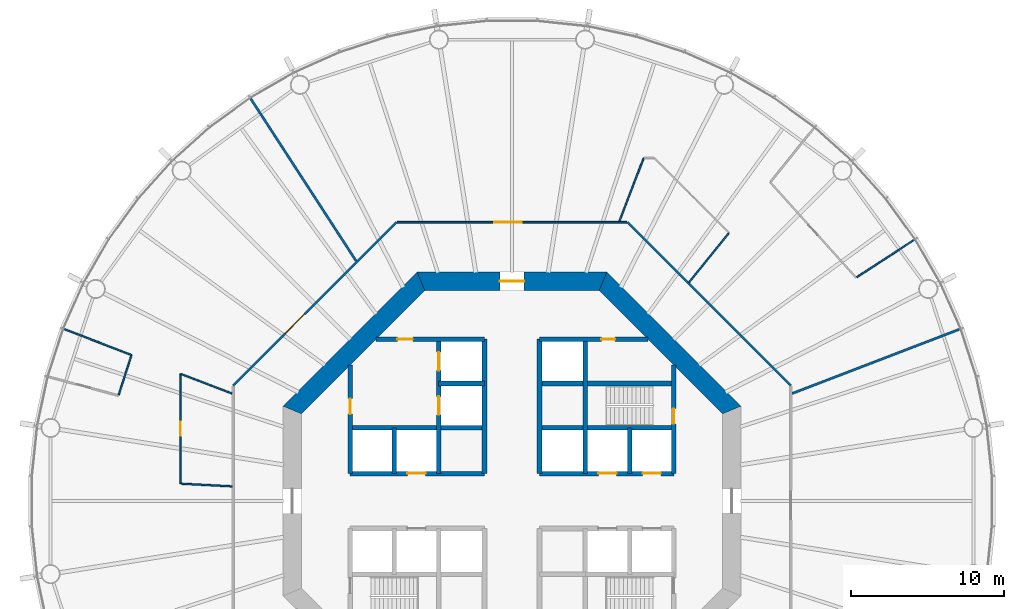
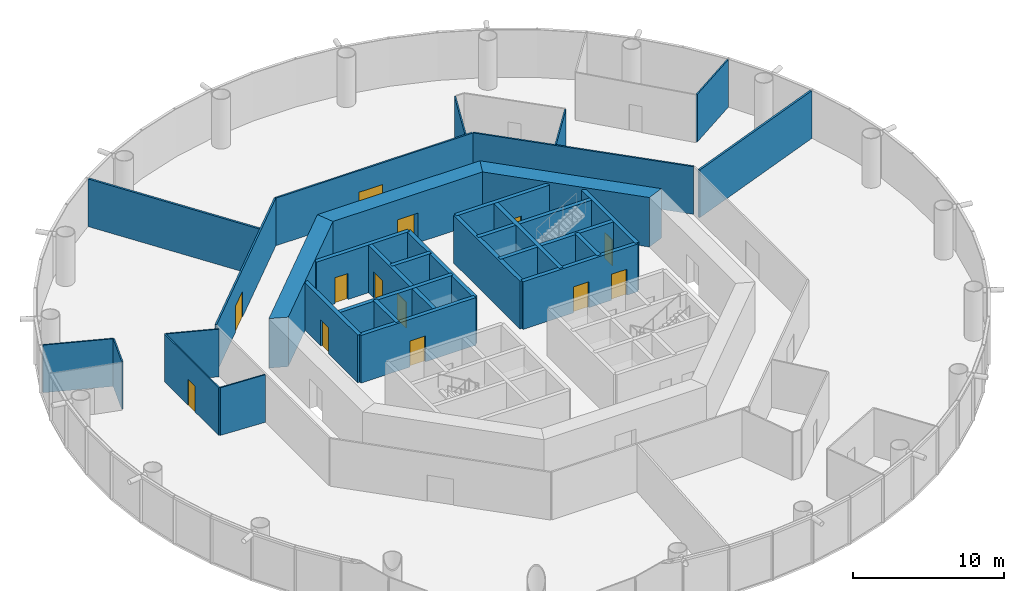
# One storey, part 4 of 12: 32 walls, 13 doors, 13 openings.
"""IFC4 building model written with IfcOpenShell, lengths in metres."""

from ifc_helpers import new_model, si_unit, direction, frame, frame_2d, origin, place, context, subcontext, project, spatial, polyline, rectangle, outline, extrude, material, layer, layer_set, type_object, element, fill, save


model = new_model("IFC4")

# Units and contexts
model_context = context("Model", 3, precision=1e-05, world=origin(), true_north=direction((0.0, 1.0)))
body_context = subcontext(model_context, "Body", "Model", "MODEL_VIEW")
ifc_project = project(units=[si_unit("LENGTHUNIT", "METRE"), si_unit("AREAUNIT", "SQUARE_METRE"), si_unit("VOLUMEUNIT", "CUBIC_METRE"), si_unit("PLANEANGLEUNIT", "RADIAN"), si_unit("MASSUNIT", "GRAM", prefix="KILO")], contexts=[model_context])

# Site, building, storey
site_placement = place(None, origin())
site = spatial("IfcSite", under=ifc_project, at=site_placement, CompositionType="ELEMENT")
building_placement = place(site_placement, origin())
building = spatial("IfcBuilding", under=site, at=building_placement, Name="Entoto Ring Tower", CompositionType="ELEMENT")
storey_placement = place(building_placement, frame((0.0, 0.0, 128.0)))
storey = spatial("IfcBuildingStorey", under=building, at=storey_placement, Name="L29", CompositionType="ELEMENT", Elevation=128.0)

# Wall, opening, door
ifc_material_1 = material(Name="Concrete C40/50", Category="concrete")
ifc_layer_1 = layer(ifc_material_1, 0.300048828125)
ifc_layer_set_1 = layer_set([ifc_layer_1], Name="Concrete C40/50")
wall_type_1 = type_object("IfcWallType", Name="Core enclosure wall 300 mm reinforced concrete", PredefinedType="SOLIDWALL", material=ifc_layer_set_1)
wall_1_placement = place(storey_placement, frame((100.60009765625, 81.800048828125, 0.0), z_axis=(0.0, 0.0, 1.0), x_axis=(0.0, 1.0, 0.0)))
wall_1 = element("IfcWall", 1, at=wall_1_placement, inside=storey, type_object=wall_type_1, Name="wall-L29-002", PredefinedType="SOLIDWALL", context=body_context, shape_type="SweptSolid", body=[
    extrude(rectangle(XDim=7.115966796875, YDim=0.300048828125, at=frame_2d((3.55810546875, 0.0))), origin(), (0.0, 0.0, 1.0), 3.85009765625),
])
opening_1_placement = place(wall_1_placement, frame((3.25, 0.0, 0.0)))
opening_1 = element("IfcOpeningElement", 2, at=opening_1_placement, cuts=wall_1, Name="Opening K-43", PredefinedType="OPENING", context=body_context, shape_type="SweptSolid", body=[
    extrude(rectangle(XDim=1.0, YDim=2.10009765625, at=frame_2d((0.5, 1.050048828125))), frame((0.0, 0.16015625, 0.0), z_axis=(0.0, -1.0, 0.0), x_axis=(1.0, 0.0, 0.0)), (0.0, 0.0, 1.0), 0.320068359375),
])
ifc_material_2 = material(Name="Steel door leaf, fire rated", Category="steel")
ifc_layer_2 = layer(ifc_material_2, 0.050048828125)
ifc_layer_set_2 = layer_set([ifc_layer_2], Name="Steel door leaf, fire rated")
door_type_1 = type_object("IfcDoorType", Name="Fire door FD60 1000 x 2100 single leaf", OperationType="NOTDEFINED", PredefinedType="DOOR", material=ifc_layer_set_2)
door_1_placement = place(opening_1_placement, origin())
door_1 = element("IfcDoor", 3, at=door_1_placement, inside=storey, type_object=door_type_1, Name="Door K-43", OperationType="SINGLE_SWING_LEFT", OverallHeight=2.10009765625, OverallWidth=1.0, PredefinedType="DOOR", context=body_context, shape_type="SweptSolid", body=[
    extrude(rectangle(XDim=1.0, YDim=2.10009765625, at=frame_2d((0.5, 1.050048828125))), frame((0.0, 0.02490234375, 0.0), z_axis=(0.0, -1.0, 0.0), x_axis=(1.0, 0.0, 0.0)), (0.0, 0.0, 1.0), 0.050048828125),
])
fill(opening_1, door_1)

# Walls
wall_2_placement = place(storey_placement, frame((97.699951171875, 81.800048828125, 0.0), z_axis=(0.0, 0.0, 1.0), x_axis=(0.0, 1.0, 0.0)))
element("IfcWall", 4, at=wall_2_placement, inside=storey, type_object=wall_type_1, Name="wall-L29-004", PredefinedType="SOLIDWALL", context=body_context, shape_type="SweptSolid", body=[
    extrude(rectangle(XDim=3.0, YDim=0.300048828125, at=frame_2d((1.5, 0.0))), origin(), (0.0, 0.0, 1.0), 3.85009765625),
])
for number, where, z_axis, x_axis, name in (
    (5, (94.800048828125, 81.800048828125, 0.0), (0.0, 0.0, 1.0), (0.0, 1.0, 0.0), "wall-L29-007"),
    (6, (91.800048828125, 81.800048828125, 0.0), (0.0, 0.0, 1.0), (0.0, 1.0, 0.0), "wall-L29-009"),
    (7, (88.199951171875, 81.800048828125, 0.0), (0.0, 0.0, 1.0), (0.0, 1.0, 0.0), "wall-L29-011"),
):
    element("IfcWall", number, at=place(storey_placement, frame(where, z_axis=z_axis, x_axis=x_axis)), inside=storey, type_object=wall_type_1, Name=name, PredefinedType="SOLIDWALL", context=body_context, shape_type="SweptSolid", body=[
        extrude(rectangle(XDim=8.800048828125, YDim=0.300048828125, at=frame_2d((4.39990234375, 0.0))), origin(), (0.0, 0.0, 1.0), 3.85009765625),
    ])

# Wall, openings, doors
wall_3_placement = place(storey_placement, frame((85.199951171875, 81.800048828125, 0.0), z_axis=(0.0, 0.0, 1.0), x_axis=(0.0, 1.0, 0.0)))
wall_3 = element("IfcWall", 8, at=wall_3_placement, inside=storey, type_object=wall_type_1, Name="wall-L29-013", PredefinedType="SOLIDWALL", context=body_context, shape_type="SweptSolid", body=[
    extrude(rectangle(XDim=8.800048828125, YDim=0.300048828125, at=frame_2d((4.39990234375, 0.0))), origin(), (0.0, 0.0, 1.0), 3.85009765625),
])
opening_2_placement = place(wall_3_placement, frame((3.85009765625, 0.0, 0.0)))
opening_2 = element("IfcOpeningElement", 9, at=opening_2_placement, cuts=wall_3, Name="Opening LD", PredefinedType="OPENING", context=body_context, shape_type="SweptSolid", body=[
    extrude(rectangle(XDim=1.199951171875, YDim=2.10009765625, at=frame_2d((0.60009765625, 1.050048828125))), frame((0.0, 0.16015625, 0.0), z_axis=(0.0, -1.0, 0.0), x_axis=(1.0, 0.0, 0.0)), (0.0, 0.0, 1.0), 0.320068359375),
])
opening_3_placement = place(wall_3_placement, frame((6.75, 0.0, 0.0)))
opening_3 = element("IfcOpeningElement", 10, at=opening_3_placement, cuts=wall_3, Name="Opening LD", PredefinedType="OPENING", context=body_context, shape_type="SweptSolid", body=[
    extrude(rectangle(XDim=1.199951171875, YDim=2.10009765625, at=frame_2d((0.60009765625, 1.050048828125))), frame((0.0, 0.16015625, 0.0), z_axis=(0.0, -1.0, 0.0), x_axis=(1.0, 0.0, 0.0)), (0.0, 0.0, 1.0), 0.320068359375),
])
ifc_material_3 = material(Name="Steel and glass door leaf", Category="steel")
ifc_layer_3 = layer(ifc_material_3, 0.050048828125)
ifc_layer_set_3 = layer_set([ifc_layer_3], Name="Steel and glass door leaf")
door_type_2 = type_object("IfcDoorType", Name="Landing door 1200 x 2100 sliding", OperationType="DOUBLE_DOOR_SLIDING", PredefinedType="DOOR", material=ifc_layer_set_3)
door_2_placement = place(opening_2_placement, origin())
door_2 = element("IfcDoor", 11, at=door_2_placement, inside=storey, type_object=door_type_2, Name="Landing door FF1", OperationType="SLIDING_TO_RIGHT", OverallHeight=2.10009765625, OverallWidth=1.199951171875, PredefinedType="DOOR", context=body_context, shape_type="SweptSolid", body=[
    extrude(rectangle(XDim=1.199951171875, YDim=2.10009765625, at=frame_2d((0.60009765625, 1.050048828125))), frame((0.0, 0.02490234375, 0.0), z_axis=(0.0, -1.0, 0.0), x_axis=(1.0, 0.0, 0.0)), (0.0, 0.0, 1.0), 0.050048828125),
])
fill(opening_2, door_2)
door_3_placement = place(opening_3_placement, origin())
door_3 = element("IfcDoor", 12, at=door_3_placement, inside=storey, type_object=door_type_2, Name="Landing door FF2", OperationType="SLIDING_TO_RIGHT", OverallHeight=2.10009765625, OverallWidth=1.199951171875, PredefinedType="DOOR", context=body_context, shape_type="SweptSolid", body=[
    extrude(rectangle(XDim=1.199951171875, YDim=2.10009765625, at=frame_2d((0.60009765625, 1.050048828125))), frame((0.0, 0.02490234375, 0.0), z_axis=(0.0, -1.0, 0.0), x_axis=(1.0, 0.0, 0.0)), (0.0, 0.0, 1.0), 0.050048828125),
])
fill(opening_3, door_3)

# Wall
wall_4_placement = place(storey_placement, frame((82.300048828125, 81.800048828125, 0.0), z_axis=(0.0, 0.0, 1.0), x_axis=(0.0, 1.0, 0.0)))
element("IfcWall", 13, at=wall_4_placement, inside=storey, type_object=wall_type_1, Name="wall-L29-015", PredefinedType="SOLIDWALL", context=body_context, shape_type="SweptSolid", body=[
    extrude(rectangle(XDim=3.0, YDim=0.300048828125, at=frame_2d((1.5, 0.0))), origin(), (0.0, 0.0, 1.0), 3.85009765625),
])

# Wall, opening, door
wall_5_placement = place(storey_placement, frame((79.39990234375, 81.800048828125, 0.0), z_axis=(0.0, 0.0, 1.0), x_axis=(0.0, 1.0, 0.0)))
wall_5 = element("IfcWall", 14, at=wall_5_placement, inside=storey, type_object=wall_type_1, Name="wall-L29-017", PredefinedType="SOLIDWALL", context=body_context, shape_type="SweptSolid", body=[
    extrude(rectangle(XDim=7.115966796875, YDim=0.300048828125, at=frame_2d((3.55810546875, 0.0))), origin(), (0.0, 0.0, 1.0), 3.85009765625),
])
opening_4_placement = place(wall_5_placement, frame((3.89990234375, 0.0, 0.0)))
opening_4 = element("IfcOpeningElement", 15, at=opening_4_placement, cuts=wall_5, Name="Opening K-59", PredefinedType="OPENING", context=body_context, shape_type="SweptSolid", body=[
    extrude(rectangle(XDim=1.0, YDim=2.10009765625, at=frame_2d((0.5, 1.050048828125))), frame((0.0, 0.16015625, 0.0), z_axis=(0.0, -1.0, 0.0), x_axis=(1.0, 0.0, 0.0)), (0.0, 0.0, 1.0), 0.320068359375),
])
door_4_placement = place(opening_4_placement, frame((1.0, 0.0, 0.0), z_axis=(0.0, 0.0, 1.0), x_axis=(-1.0, 0.0, 0.0)))
door_4 = element("IfcDoor", 16, at=door_4_placement, inside=storey, type_object=door_type_1, Name="Door K-59", OperationType="SINGLE_SWING_LEFT", OverallHeight=2.10009765625, OverallWidth=1.0, PredefinedType="DOOR", context=body_context, shape_type="SweptSolid", body=[
    extrude(rectangle(XDim=1.0, YDim=2.10009765625, at=frame_2d((0.5, 1.050048828125))), frame((0.0, 0.02490234375, 0.0), z_axis=(0.0, -1.0, 0.0), x_axis=(1.0, 0.0, 0.0)), (0.0, 0.0, 1.0), 0.050048828125),
])
fill(opening_4, door_4)

wall_6_placement = place(storey_placement, frame((79.39990234375, 81.800048828125, 0.0), z_axis=(0.0, 0.0, 1.0), x_axis=(1.0, 0.0, 0.0)))
wall_6 = element("IfcWall", 17, at=wall_6_placement, inside=storey, type_object=wall_type_1, Name="wall-L29-028", PredefinedType="SOLIDWALL", context=body_context, shape_type="SweptSolid", body=[
    extrude(rectangle(XDim=8.800048828125, YDim=0.300048828125, at=frame_2d((4.39990234375, 0.0))), origin(), (0.0, 0.0, 1.0), 3.85009765625),
])
opening_5_placement = place(wall_6_placement, frame((3.75, 0.0, 0.0)))
opening_5 = element("IfcOpeningElement", 18, at=opening_5_placement, cuts=wall_6, Name="Opening LD", PredefinedType="OPENING", context=body_context, shape_type="SweptSolid", body=[
    extrude(rectangle(XDim=1.199951171875, YDim=2.10009765625, at=frame_2d((0.60009765625, 1.050048828125))), frame((0.0, 0.16015625, 0.0), z_axis=(0.0, -1.0, 0.0), x_axis=(1.0, 0.0, 0.0)), (0.0, 0.0, 1.0), 0.320068359375),
])
door_5_placement = place(opening_5_placement, origin())
door_5 = element("IfcDoor", 19, at=door_5_placement, inside=storey, type_object=door_type_2, Name="Landing door LB3-LR", OperationType="SLIDING_TO_RIGHT", OverallHeight=2.10009765625, OverallWidth=1.199951171875, PredefinedType="DOOR", context=body_context, shape_type="SweptSolid", body=[
    extrude(rectangle(XDim=1.199951171875, YDim=2.10009765625, at=frame_2d((0.60009765625, 1.050048828125))), frame((0.0, 0.02490234375, 0.0), z_axis=(0.0, -1.0, 0.0), x_axis=(1.0, 0.0, 0.0)), (0.0, 0.0, 1.0), 0.050048828125),
])
fill(opening_5, door_5)

# Wall, openings, doors
wall_7_placement = place(storey_placement, frame((91.800048828125, 81.800048828125, 0.0), z_axis=(0.0, 0.0, 1.0), x_axis=(1.0, 0.0, 0.0)))
wall_7 = element("IfcWall", 20, at=wall_7_placement, inside=storey, type_object=wall_type_1, Name="wall-L29-029", PredefinedType="SOLIDWALL", context=body_context, shape_type="SweptSolid", body=[
    extrude(rectangle(XDim=8.800048828125, YDim=0.300048828125, at=frame_2d((4.39990234375, 0.0))), origin(), (0.0, 0.0, 1.0), 3.85009765625),
])
opening_6_placement = place(wall_7_placement, frame((3.85009765625, 0.0, 0.0)))
opening_6 = element("IfcOpeningElement", 21, at=opening_6_placement, cuts=wall_7, Name="Opening LD", PredefinedType="OPENING", context=body_context, shape_type="SweptSolid", body=[
    extrude(rectangle(XDim=1.199951171875, YDim=2.10009765625, at=frame_2d((0.60009765625, 1.050048828125))), frame((0.0, 0.16015625, 0.0), z_axis=(0.0, -1.0, 0.0), x_axis=(1.0, 0.0, 0.0)), (0.0, 0.0, 1.0), 0.320068359375),
])
opening_7_placement = place(wall_7_placement, frame((6.75, 0.0, 0.0)))
opening_7 = element("IfcOpeningElement", 22, at=opening_7_placement, cuts=wall_7, Name="Opening LD", PredefinedType="OPENING", context=body_context, shape_type="SweptSolid", body=[
    extrude(rectangle(XDim=1.199951171875, YDim=2.10009765625, at=frame_2d((0.60009765625, 1.050048828125))), frame((0.0, 0.16015625, 0.0), z_axis=(0.0, -1.0, 0.0), x_axis=(1.0, 0.0, 0.0)), (0.0, 0.0, 1.0), 0.320068359375),
])
door_6_placement = place(opening_6_placement, origin())
door_6 = element("IfcDoor", 23, at=door_6_placement, inside=storey, type_object=door_type_2, Name="Landing door LB1-LR", OperationType="SLIDING_TO_RIGHT", OverallHeight=2.10009765625, OverallWidth=1.199951171875, PredefinedType="DOOR", context=body_context, shape_type="SweptSolid", body=[
    extrude(rectangle(XDim=1.199951171875, YDim=2.10009765625, at=frame_2d((0.60009765625, 1.050048828125))), frame((0.0, 0.02490234375, 0.0), z_axis=(0.0, -1.0, 0.0), x_axis=(1.0, 0.0, 0.0)), (0.0, 0.0, 1.0), 0.050048828125),
])
fill(opening_6, door_6)
door_7_placement = place(opening_7_placement, origin())
door_7 = element("IfcDoor", 24, at=door_7_placement, inside=storey, type_object=door_type_2, Name="Landing door LB2-LR", OperationType="SLIDING_TO_RIGHT", OverallHeight=2.10009765625, OverallWidth=1.199951171875, PredefinedType="DOOR", context=body_context, shape_type="SweptSolid", body=[
    extrude(rectangle(XDim=1.199951171875, YDim=2.10009765625, at=frame_2d((0.60009765625, 1.050048828125))), frame((0.0, 0.02490234375, 0.0), z_axis=(0.0, -1.0, 0.0), x_axis=(1.0, 0.0, 0.0)), (0.0, 0.0, 1.0), 0.050048828125),
])
fill(opening_7, door_7)

# Walls
for number, where, z_axis, x_axis, name in (
    (25, (79.39990234375, 84.800048828125, 0.0), (0.0, 0.0, 1.0), (1.0, 0.0, 0.0), "wall-L29-030"),
    (26, (91.800048828125, 84.800048828125, 0.0), (0.0, 0.0, 1.0), (1.0, 0.0, 0.0), "wall-L29-031"),
):
    element("IfcWall", number, at=place(storey_placement, frame(where, z_axis=z_axis, x_axis=x_axis)), inside=storey, type_object=wall_type_1, Name=name, PredefinedType="SOLIDWALL", context=body_context, shape_type="SweptSolid", body=[
        extrude(rectangle(XDim=8.800048828125, YDim=0.300048828125, at=frame_2d((4.39990234375, 0.0))), origin(), (0.0, 0.0, 1.0), 3.85009765625),
    ])
wall_8_placement = place(storey_placement, frame((85.199951171875, 87.699951171875, 0.0), z_axis=(0.0, 0.0, 1.0), x_axis=(1.0, 0.0, 0.0)))
element("IfcWall", 27, at=wall_8_placement, inside=storey, type_object=wall_type_1, Name="wall-L29-032", PredefinedType="SOLIDWALL", context=body_context, shape_type="SweptSolid", body=[
    extrude(rectangle(XDim=3.0, YDim=0.300048828125, at=frame_2d((1.5, 0.0))), origin(), (0.0, 0.0, 1.0), 3.85009765625),
])
wall_9_placement = place(storey_placement, frame((91.800048828125, 87.699951171875, 0.0), z_axis=(0.0, 0.0, 1.0), x_axis=(1.0, 0.0, 0.0)))
element("IfcWall", 28, at=wall_9_placement, inside=storey, type_object=wall_type_1, Name="wall-L29-033", PredefinedType="SOLIDWALL", context=body_context, shape_type="SweptSolid", body=[
    extrude(rectangle(XDim=8.800048828125, YDim=0.300048828125, at=frame_2d((4.39990234375, 0.0))), origin(), (0.0, 0.0, 1.0), 3.85009765625),
])

# Wall, opening, door
wall_10_placement = place(storey_placement, frame((81.083984375, 90.60009765625, 0.0), z_axis=(0.0, 0.0, 1.0), x_axis=(1.0, 0.0, 0.0)))
wall_10 = element("IfcWall", 29, at=wall_10_placement, inside=storey, type_object=wall_type_1, Name="wall-L29-034", PredefinedType="SOLIDWALL", context=body_context, shape_type="SweptSolid", body=[
    extrude(rectangle(XDim=7.115966796875, YDim=0.300048828125, at=frame_2d((3.55810546875, 0.0))), origin(), (0.0, 0.0, 1.0), 3.85009765625),
])
opening_8_placement = place(wall_10_placement, frame((1.416015625, 0.0, 0.0)))
opening_8 = element("IfcOpeningElement", 30, at=opening_8_placement, cuts=wall_10, Name="Opening K-61", PredefinedType="OPENING", context=body_context, shape_type="SweptSolid", body=[
    extrude(rectangle(XDim=1.0, YDim=2.10009765625, at=frame_2d((0.5, 1.050048828125))), frame((0.0, 0.16015625, 0.0), z_axis=(0.0, -1.0, 0.0), x_axis=(1.0, 0.0, 0.0)), (0.0, 0.0, 1.0), 0.320068359375),
])
door_8_placement = place(opening_8_placement, frame((1.0, 0.0, 0.0), z_axis=(0.0, 0.0, 1.0), x_axis=(-1.0, 0.0, 0.0)))
door_8 = element("IfcDoor", 31, at=door_8_placement, inside=storey, type_object=door_type_1, Name="Door K-61", OperationType="SINGLE_SWING_RIGHT", OverallHeight=2.10009765625, OverallWidth=1.0, PredefinedType="DOOR", context=body_context, shape_type="SweptSolid", body=[
    extrude(rectangle(XDim=1.0, YDim=2.10009765625, at=frame_2d((0.5, 1.050048828125))), frame((0.0, 0.02490234375, 0.0), z_axis=(0.0, -1.0, 0.0), x_axis=(1.0, 0.0, 0.0)), (0.0, 0.0, 1.0), 0.050048828125),
])
fill(opening_8, door_8)

wall_11_placement = place(storey_placement, frame((91.800048828125, 90.60009765625, 0.0), z_axis=(0.0, 0.0, 1.0), x_axis=(1.0, 0.0, 0.0)))
wall_11 = element("IfcWall", 32, at=wall_11_placement, inside=storey, type_object=wall_type_1, Name="wall-L29-035", PredefinedType="SOLIDWALL", context=body_context, shape_type="SweptSolid", body=[
    extrude(rectangle(XDim=7.115966796875, YDim=0.300048828125, at=frame_2d((3.55810546875, 0.0))), origin(), (0.0, 0.0, 1.0), 3.85009765625),
])
opening_9_placement = place(wall_11_placement, frame((4.050048828125, 0.0, 0.0)))
opening_9 = element("IfcOpeningElement", 33, at=opening_9_placement, cuts=wall_11, Name="Opening K-14", PredefinedType="OPENING", context=body_context, shape_type="SweptSolid", body=[
    extrude(rectangle(XDim=0.89990234375, YDim=2.10009765625, at=frame_2d((0.449951171875, 1.050048828125))), frame((0.0, 0.16015625, 0.0), z_axis=(0.0, -1.0, 0.0), x_axis=(1.0, 0.0, 0.0)), (0.0, 0.0, 1.0), 0.320068359375),
])
ifc_material_4 = material(Name="Steel door leaf, fire rated", Category="steel")
ifc_layer_4 = layer(ifc_material_4, 0.050048828125)
ifc_layer_set_4 = layer_set([ifc_layer_4], Name="Steel door leaf, fire rated")
door_type_3 = type_object("IfcDoorType", Name="Core door 900 x 2100 single leaf", OperationType="NOTDEFINED", PredefinedType="DOOR", material=ifc_layer_set_4)
door_9_placement = place(opening_9_placement, frame((0.89990234375, 0.0, 0.0), z_axis=(0.0, 0.0, 1.0), x_axis=(-1.0, 0.0, 0.0)))
door_9 = element("IfcDoor", 34, at=door_9_placement, inside=storey, type_object=door_type_3, Name="Door K-14", OperationType="SINGLE_SWING_LEFT", OverallHeight=2.10009765625, OverallWidth=0.89990234375, PredefinedType="DOOR", context=body_context, shape_type="SweptSolid", body=[
    extrude(rectangle(XDim=0.89990234375, YDim=2.10009765625, at=frame_2d((0.449951171875, 1.050048828125))), frame((0.0, 0.02490234375, 0.0), z_axis=(0.0, -1.0, 0.0), x_axis=(1.0, 0.0, 0.0)), (0.0, 0.0, 1.0), 0.050048828125),
])
fill(opening_9, door_9)

# Wall
ifc_material_5 = material(Name="Concrete C60/75", Category="concrete")
ifc_layer_5 = layer(ifc_material_5, 1.199951171875)
ifc_layer_set_5 = layer_set([ifc_layer_5], Name="Concrete C60/75")
wall_type_2 = type_object("IfcWallType", Name="Core shear wall 1200 mm reinforced concrete C60/75", PredefinedType="SHEAR", material=ifc_layer_set_5)
wall_12_placement = place(storey_placement, frame((104.39990234375, 85.964599609375, 0.0), z_axis=(0.0, 0.0, 1.0), x_axis=(-0.707106781187, 0.707106781187, 0.0)))
element("IfcWall", 35, at=wall_12_placement, inside=storey, type_object=wall_type_2, Name="wall-L29-core-1", PredefinedType="SHEAR", context=body_context, shape_type="SweptSolid", body=[
    extrude(outline(polyline([(-0.24853515625, -0.60009765625), (12.177734375, -0.60009765625), (11.6806640625, 0.60009765625), (0.24853515625, 0.60009765625), (-0.24853515625, -0.60009765625)])), origin(), (0.0, 0.0, 1.0), 4.0),
])

# Wall, opening, door
wall_13_placement = place(storey_placement, frame((95.964599609375, 94.39990234375, 0.0), z_axis=(0.0, 0.0, 1.0), x_axis=(-1.0, 0.0, 0.0)))
wall_13 = element("IfcWall", 36, at=wall_13_placement, inside=storey, type_object=wall_type_2, Name="wall-L29-core-2", PredefinedType="SHEAR", context=body_context, shape_type="SweptSolid", body=[
    extrude(outline(polyline([(-0.24853515625, -0.60009765625), (12.177734375, -0.60009765625), (11.6806640625, 0.60009765625), (0.24853515625, 0.60009765625), (-0.24853515625, -0.60009765625)])), origin(), (0.0, 0.0, 1.0), 4.0),
])
opening_10_placement = place(wall_13_placement, frame((5.164794921875, 0.0, 0.0)))
opening_10 = element("IfcOpeningElement", 37, at=opening_10_placement, cuts=wall_13, Name="Opening K-02", PredefinedType="OPENING", context=body_context, shape_type="SweptSolid", body=[
    extrude(rectangle(XDim=1.60009765625, YDim=2.39990234375, at=frame_2d((0.800048828125, 1.199951171875))), frame((0.0, 0.60986328125, 0.0), z_axis=(0.0, -1.0, 0.0), x_axis=(1.0, 0.0, 0.0)), (0.0, 0.0, 1.0), 1.219970703125),
])
ifc_material_6 = material(Name="Steel door leaf, fire rated", Category="steel")
ifc_layer_6 = layer(ifc_material_6, 0.050048828125)
ifc_layer_set_6 = layer_set([ifc_layer_6], Name="Steel door leaf, fire rated")
door_type_4 = type_object("IfcDoorType", Name="Entrance door FD60 1600 x 2400 double leaf", OperationType="DOUBLE_DOOR_SINGLE_SWING", PredefinedType="DOOR", material=ifc_layer_set_6)
door_10_placement = place(opening_10_placement, origin())
door_10 = element("IfcDoor", 38, at=door_10_placement, inside=storey, type_object=door_type_4, Name="Entrance door K-02", OperationType="DOUBLE_DOOR_SINGLE_SWING", OverallHeight=2.39990234375, OverallWidth=1.60009765625, PredefinedType="DOOR", context=body_context, shape_type="SweptSolid", body=[
    extrude(rectangle(XDim=1.60009765625, YDim=2.39990234375, at=frame_2d((0.800048828125, 1.199951171875))), frame((0.0, 0.02490234375, 0.0), z_axis=(0.0, -1.0, 0.0), x_axis=(1.0, 0.0, 0.0)), (0.0, 0.0, 1.0), 0.050048828125),
])
fill(opening_10, door_10)

# Wall
wall_14_placement = place(storey_placement, frame((84.035400390625, 94.39990234375, 0.0), z_axis=(0.0, 0.0, 1.0), x_axis=(-0.707106781187, -0.707106781187, 0.0)))
element("IfcWall", 39, at=wall_14_placement, inside=storey, type_object=wall_type_2, Name="wall-L29-core-3", PredefinedType="SHEAR", context=body_context, shape_type="SweptSolid", body=[
    extrude(outline(polyline([(-0.24853515625, -0.60009765625), (12.177734375, -0.60009765625), (11.6806640625, 0.60009765625), (0.24853515625, 0.60009765625), (-0.24853515625, -0.60009765625)])), origin(), (0.0, 0.0, 1.0), 4.0),
])

# Wall, opening, door
ifc_material_7 = material(Name="Fire-resisting plasterboard on steel studs", Category="steel")
ifc_layer_7 = layer(ifc_material_7, 0.125)
ifc_layer_set_7 = layer_set([ifc_layer_7], Name="Fire-resisting plasterboard on steel studs")
wall_type_3 = type_object("IfcWallType", Name="Corridor wall 125 mm one-hour plasterboard on steel studs", PredefinedType="PARTITIONING", material=ifc_layer_set_7)
wall_15_placement = place(storey_placement, frame((71.737548828125, 87.564697265625, 0.0), z_axis=(0.0, 0.0, 1.0), x_axis=(0.707106781187, 0.707106781187, 0.0)))
wall_15 = element("IfcWall", 40, at=wall_15_placement, inside=storey, type_object=wall_type_3, Name="partition-L29-001", PredefinedType="PARTITIONING", context=body_context, shape_type="SweptSolid", body=[
    extrude(rectangle(XDim=15.12890625, YDim=0.125, at=frame_2d((7.564453125, 0.0))), origin(), (0.0, 0.0, 1.0), 3.85009765625),
])
opening_11_placement = place(wall_15_placement, frame((4.8232421875, 0.0, 0.0)))
opening_11 = element("IfcOpeningElement", 41, at=opening_11_placement, cuts=wall_15, Name="Opening A12-D02", PredefinedType="OPENING", context=body_context, shape_type="SweptSolid", body=[
    extrude(rectangle(XDim=1.800048828125, YDim=2.10009765625, at=frame_2d((0.89990234375, 1.050048828125))), frame((0.0, 0.072509765625, 0.0), z_axis=(0.0, -1.0, 0.0), x_axis=(1.0, 0.0, 0.0)), (0.0, 0.0, 1.0), 0.14501953125),
])
ifc_material_8 = material(Name="Fire-resisting timber door set", Category="wood")
door_type_5 = type_object("IfcDoorType", Name="Door 1800 x 2100 double leaf FD30S fire door", OperationType="DOUBLE_DOOR_SINGLE_SWING", PredefinedType="DOOR", material=ifc_material_8)
door_11_placement = place(opening_11_placement, frame((1.800048828125, 0.0, 0.0), z_axis=(0.0, 0.0, 1.0), x_axis=(-1.0, 0.0, 0.0)))
door_11 = element("IfcDoor", 42, at=door_11_placement, inside=storey, type_object=door_type_5, Name="Door A12-D02", OperationType="DOUBLE_DOOR_SINGLE_SWING", OverallHeight=2.10009765625, OverallWidth=1.800048828125, PredefinedType="DOOR", context=body_context, shape_type="SweptSolid", body=[
    extrude(rectangle(XDim=1.800048828125, YDim=2.10009765625, at=frame_2d((0.89990234375, 1.050048828125))), frame((0.0, 0.02490234375, 0.0), z_axis=(0.0, -1.0, 0.0), x_axis=(1.0, 0.0, 0.0)), (0.0, 0.0, 1.0), 0.050048828125),
])
fill(opening_11, door_11)

# Wall
wall_16_placement = place(storey_placement, frame((108.262451171875, 87.564697265625, 0.0), z_axis=(0.0, 0.0, 1.0), x_axis=(-0.707106781187, 0.707106781187, 0.0)))
element("IfcWall", 43, at=wall_16_placement, inside=storey, type_object=wall_type_3, Name="partition-L29-004", PredefinedType="PARTITIONING", context=body_context, shape_type="SweptSolid", body=[
    extrude(rectangle(XDim=15.12890625, YDim=0.125, at=frame_2d((7.564453125, 0.0))), origin(), (0.0, 0.0, 1.0), 3.85009765625),
])

# Wall, opening, door
wall_17_placement = place(storey_placement, frame((82.4794921875, 98.262451171875, 0.0), z_axis=(0.0, 0.0, 1.0), x_axis=(1.0, 0.0, 0.0)))
wall_17 = element("IfcWall", 44, at=wall_17_placement, inside=storey, type_object=wall_type_3, Name="partition-L29-007", PredefinedType="PARTITIONING", context=body_context, shape_type="SweptSolid", body=[
    extrude(rectangle(XDim=15.041015625, YDim=0.125, at=frame_2d((7.5205078125, 0.0))), origin(), (0.0, 0.0, 1.0), 3.85009765625),
])
opening_12_placement = place(wall_17_placement, frame((6.343505859375, 0.0, 0.0)))
opening_12 = element("IfcOpeningElement", 45, at=opening_12_placement, cuts=wall_17, Name="Opening A12-D09", PredefinedType="OPENING", context=body_context, shape_type="SweptSolid", body=[
    extrude(rectangle(XDim=1.800048828125, YDim=2.10009765625, at=frame_2d((0.89990234375, 1.050048828125))), frame((0.0, 0.072509765625, 0.0), z_axis=(0.0, -1.0, 0.0), x_axis=(1.0, 0.0, 0.0)), (0.0, 0.0, 1.0), 0.14501953125),
])
door_12_placement = place(opening_12_placement, frame((1.800048828125, 0.0, 0.0), z_axis=(0.0, 0.0, 1.0), x_axis=(-1.0, 0.0, 0.0)))
door_12 = element("IfcDoor", 46, at=door_12_placement, inside=storey, type_object=door_type_5, Name="Door A12-D09", OperationType="DOUBLE_DOOR_SINGLE_SWING", OverallHeight=2.10009765625, OverallWidth=1.800048828125, PredefinedType="DOOR", context=body_context, shape_type="SweptSolid", body=[
    extrude(rectangle(XDim=1.800048828125, YDim=2.10009765625, at=frame_2d((0.89990234375, 1.050048828125))), frame((0.0, 0.02490234375, 0.0), z_axis=(0.0, -1.0, 0.0), x_axis=(1.0, 0.0, 0.0)), (0.0, 0.0, 1.0), 0.050048828125),
])
fill(opening_12, door_12)

ifc_material_9 = material(Name="Plasterboard on steel studs", Category="steel")
ifc_layer_8 = layer(ifc_material_9, 0.10009765625)
ifc_layer_set_8 = layer_set([ifc_layer_8], Name="Plasterboard on steel studs")
wall_type_4 = type_object("IfcWallType", Name="Partition 100 mm plasterboard on steel studs", PredefinedType="PARTITIONING", material=ifc_layer_set_8)
wall_18_placement = place(storey_placement, frame((68.28759765625, 81.137939453125, 0.0), z_axis=(0.0, 0.0, 1.0), x_axis=(0.0, 1.0, 0.0)))
wall_18 = element("IfcWall", 47, at=wall_18_placement, inside=storey, type_object=wall_type_4, Name="partition-L29-013", PredefinedType="PARTITIONING", context=body_context, shape_type="SweptSolid", body=[
    extrude(rectangle(XDim=7.19677734375, YDim=0.10009765625, at=frame_2d((3.598388671875, 0.0))), origin(), (0.0, 0.0, 1.0), 3.85009765625),
])
opening_13_placement = place(wall_18_placement, frame((3.1484375, 0.0, 0.0)))
opening_13 = element("IfcOpeningElement", 48, at=opening_13_placement, cuts=wall_18, Name="Opening A12-D03", PredefinedType="OPENING", context=body_context, shape_type="SweptSolid", body=[
    extrude(rectangle(XDim=0.89990234375, YDim=2.10009765625, at=frame_2d((0.449951171875, 1.050048828125))), frame((0.0, 0.06005859375, 0.0), z_axis=(0.0, -1.0, 0.0), x_axis=(1.0, 0.0, 0.0)), (0.0, 0.0, 1.0), 0.1201171875),
])
ifc_material_10 = material(Name="Veneered timber door leaf in timber frame", Category="wood")
door_type_6 = type_object("IfcDoorType", Name="Door 900 x 2100 single leaf timber veneer", OperationType="NOTDEFINED", PredefinedType="DOOR", material=ifc_material_10)
door_13_placement = place(opening_13_placement, frame((0.89990234375, 0.0, 0.0), z_axis=(0.0, 0.0, 1.0), x_axis=(-1.0, 0.0, 0.0)))
door_13 = element("IfcDoor", 49, at=door_13_placement, inside=storey, type_object=door_type_6, Name="Door A12-D03", OperationType="SINGLE_SWING_LEFT", OverallHeight=2.10009765625, OverallWidth=0.89990234375, PredefinedType="DOOR", context=body_context, shape_type="SweptSolid", body=[
    extrude(rectangle(XDim=0.89990234375, YDim=2.10009765625, at=frame_2d((0.449951171875, 1.050048828125))), frame((0.0, 0.02490234375, 0.0), z_axis=(0.0, -1.0, 0.0), x_axis=(1.0, 0.0, 0.0)), (0.0, 0.0, 1.0), 0.050048828125),
])
fill(opening_13, door_13)

# Walls
wall_19_placement = place(storey_placement, frame((65.082763671875, 89.564697265625, 0.0), z_axis=(0.0, 0.0, 1.0), x_axis=(-0.933571937327, 0.358390063807, 0.0)))
element("IfcWall", 50, at=wall_19_placement, inside=storey, type_object=wall_type_4, Name="partition-L29-018", PredefinedType="PARTITIONING", context=body_context, shape_type="SweptSolid", body=[
    extrude(rectangle(XDim=4.75, YDim=0.10009765625, at=frame_2d((2.375, 0.0))), origin(), (0.0, 0.0, 1.0), 3.85009765625),
])
wall_20_placement = place(storey_placement, frame((112.576416015625, 94.661376953125, 0.0), z_axis=(0.0, 0.0, 1.0), x_axis=(0.838677966182, 0.54462764256, 0.0)))
element("IfcWall", 51, at=wall_20_placement, inside=storey, type_object=wall_type_4, Name="partition-L29-021", PredefinedType="PARTITIONING", context=body_context, shape_type="SweptSolid", body=[
    extrude(rectangle(XDim=4.520751953125, YDim=0.10009765625, at=frame_2d((2.26025390625, 0.0))), origin(), (0.0, 0.0, 1.0), 3.85009765625),
])
wall_21_placement = place(storey_placement, frame((97.041015625, 98.3427734375, 0.0), z_axis=(0.0, 0.0, 1.0), x_axis=(0.358377615305, 0.933576716102, 0.0)))
element("IfcWall", 52, at=wall_21_placement, inside=storey, type_object=wall_type_4, Name="partition-L29-023", PredefinedType="PARTITIONING", context=body_context, shape_type="SweptSolid", body=[
    extrude(rectangle(XDim=4.43408203125, YDim=0.10009765625, at=frame_2d((2.217041015625, 0.0))), origin(), (0.0, 0.0, 1.0), 3.85009765625),
])
wall_22_placement = place(storey_placement, frame((101.59912109375, 94.32373046875, 0.0), z_axis=(0.0, 0.0, 1.0), x_axis=(0.629317391441, 0.777148390483, 0.0)))
element("IfcWall", 53, at=wall_22_placement, inside=storey, type_object=wall_type_4, Name="partition-L29-025", PredefinedType="PARTITIONING", context=body_context, shape_type="SweptSolid", body=[
    extrude(rectangle(XDim=4.12548828125, YDim=0.10009765625, at=frame_2d((2.062744140625, 0.0))), origin(), (0.0, 0.0, 1.0), 3.85009765625),
])
wall_23_placement = place(storey_placement, frame((71.6572265625, 87.041015625, 0.0), z_axis=(0.0, 0.0, 1.0), x_axis=(-0.933574908707, 0.358382323549, 0.0)))
element("IfcWall", 54, at=wall_23_placement, inside=storey, type_object=wall_type_4, Name="partition-L29-027", PredefinedType="PARTITIONING", context=body_context, shape_type="SweptSolid", body=[
    extrude(rectangle(XDim=3.536865234375, YDim=0.10009765625, at=frame_2d((1.7685546875, 0.0))), origin(), (0.0, 0.0, 1.0), 3.85009765625),
])
wall_24_placement = place(storey_placement, frame((71.67236328125, 80.96044921875, 0.0), z_axis=(0.0, 0.0, 1.0), x_axis=(-0.998629115443, 0.052343956564, 0.0)))
element("IfcWall", 55, at=wall_24_placement, inside=storey, type_object=wall_type_4, Name="partition-L29-028", PredefinedType="PARTITIONING", context=body_context, shape_type="SweptSolid", body=[
    extrude(rectangle(XDim=3.339599609375, YDim=0.10009765625, at=frame_2d((1.669921875, 0.0))), origin(), (0.0, 0.0, 1.0), 3.85009765625),
])
wall_25_placement = place(storey_placement, frame((64.23486328125, 86.955322265625, 0.0), z_axis=(0.0, 0.0, 1.0), x_axis=(0.309040988602, 0.951048719763, 0.0)))
element("IfcWall", 56, at=wall_25_placement, inside=storey, type_object=wall_type_4, Name="partition-L29-029", PredefinedType="PARTITIONING", context=body_context, shape_type="SweptSolid", body=[
    extrude(rectangle(XDim=2.69384765625, YDim=0.10009765625, at=frame_2d((1.346923828125, 0.0))), origin(), (0.0, 0.0, 1.0), 3.85009765625),
])
ifc_material_11 = material(Name="Fire-resisting acoustic plasterboard on steel studs", Category="steel")
ifc_layer_9 = layer(ifc_material_11, 0.14990234375)
ifc_layer_set_9 = layer_set([ifc_layer_9], Name="Fire-resisting acoustic plasterboard on steel studs")
wall_type_5 = type_object("IfcWallType", Name="Party wall 150 mm one-hour acoustic plasterboard on steel studs", PredefinedType="PARTITIONING", material=ifc_layer_set_9)
wall_26_placement = place(storey_placement, frame((79.787841796875, 95.725341796875, 0.0), z_axis=(0.0, 0.0, 1.0), x_axis=(-0.544639362457, 0.838670355302, 0.0)))
element("IfcWall", 57, at=wall_26_placement, inside=storey, type_object=wall_type_5, Name="partition-L29-010", PredefinedType="PARTITIONING", context=body_context, shape_type="SweptSolid", body=[
    extrude(rectangle(XDim=12.68994140625, YDim=0.14990234375, at=frame_2d((6.344970703125, 0.0))), origin(), (0.0, 0.0, 1.0), 3.85009765625),
])
wall_27_placement = place(storey_placement, frame((108.351806640625, 87.044677734375, 0.0), z_axis=(0.0, 0.0, 1.0), x_axis=(0.933583046645, 0.358361123751, 0.0)))
element("IfcWall", 58, at=wall_27_placement, inside=storey, type_object=wall_type_5, Name="partition-L29-011", PredefinedType="PARTITIONING", context=body_context, shape_type="SweptSolid", body=[
    extrude(rectangle(XDim=11.782470703125, YDim=0.14990234375, at=frame_2d((5.89111328125, 0.0))), origin(), (0.0, 0.0, 1.0), 3.85009765625),
])

save(model, "model.ifc")
